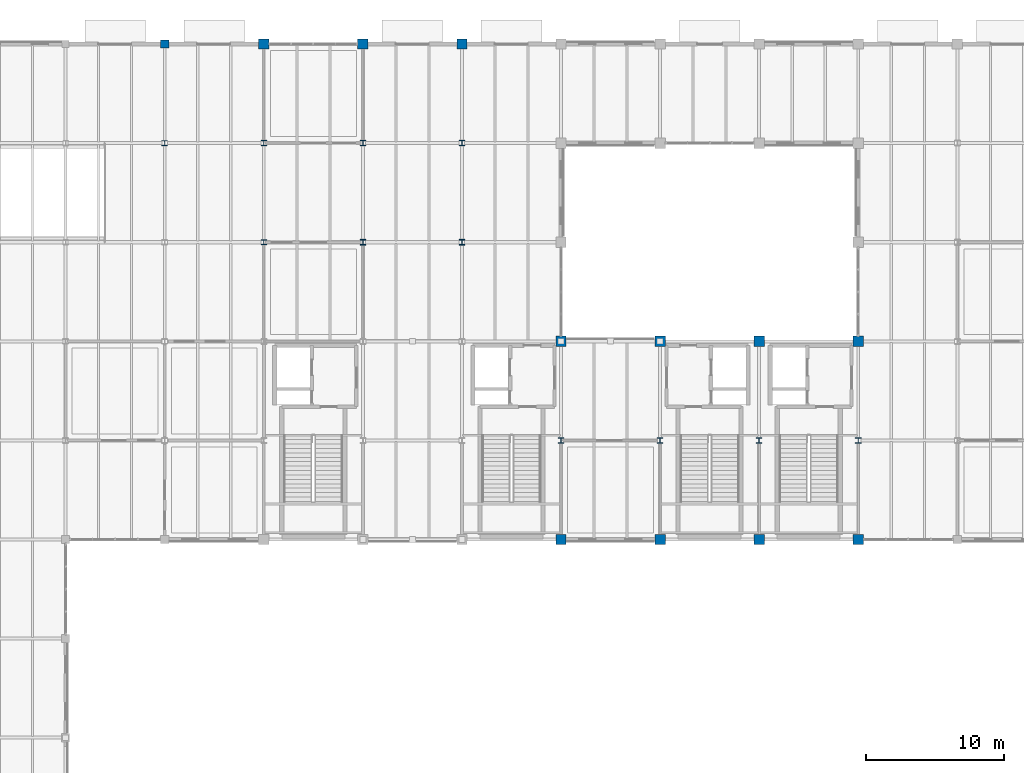
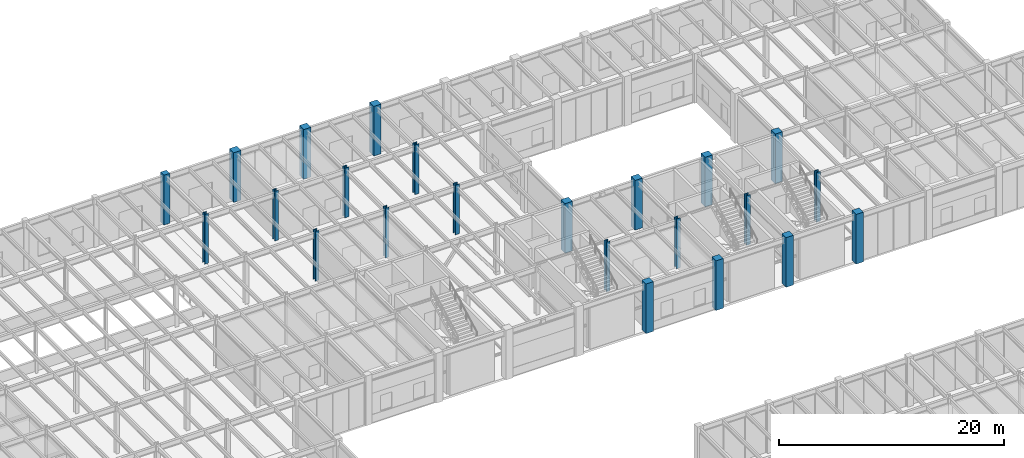
# One storey, part 12 of 97: 23 columns.
"""IFC4 building model written with IfcOpenShell, lengths in metres."""

from ifc_helpers import new_model, si_unit, direction, frame, origin, origin_2d, place, context, subcontext, project, spatial, rectangle, i_section, extrude, material, material_profile, profile_set, type_object, element, save


model = new_model("IFC4")

# Units and contexts
model_context = context("Model", 3, precision=1e-05, world=origin(), true_north=direction((0.0, 1.0)))
body_context = subcontext(model_context, "Body", "Model", "MODEL_VIEW")
ifc_project = project(units=[si_unit("LENGTHUNIT", "METRE"), si_unit("AREAUNIT", "SQUARE_METRE"), si_unit("VOLUMEUNIT", "CUBIC_METRE"), si_unit("PLANEANGLEUNIT", "RADIAN"), si_unit("MASSUNIT", "GRAM", prefix="KILO")], contexts=[model_context])

# Site, building, storey
site_placement = place(None, origin())
site = spatial("IfcSite", under=ifc_project, at=site_placement, CompositionType="ELEMENT")
building_placement = place(site_placement, origin())
building = spatial("IfcBuilding", under=site, at=building_placement, Name="Sillqori Civic Hall", CompositionType="ELEMENT")
storey_placement = place(building_placement, origin())
storey = spatial("IfcBuildingStorey", under=building, at=storey_placement, Name="L01", CompositionType="ELEMENT", Elevation=0.0)

# Columns
ifc_material_1 = material(Name="Concrete C35/45 (H35)", Category="concrete")
ifc_material_profile_1 = material_profile(ifc_material_1, rectangle(XDim=0.60009765625, YDim=0.60009765625, at=origin_2d()), Name="RC 600x600")
ifc_profile_set_1 = profile_set([ifc_material_profile_1], Name="Concrete C35/45 (H35)")
column_type_1 = type_object("IfcColumnType", Name="COL-RC600", PredefinedType="COLUMN", material=ifc_profile_set_1)
column_1_placement = place(storey_placement, frame((43.199951171875, 115.199951171875, 0.0), z_axis=(0.0, 0.0, 1.0), x_axis=(1.0, 0.0, 0.0)))
element("IfcColumn", 1, at=column_1_placement, inside=storey, type_object=column_type_1, Name="L01 column 6-16", PredefinedType="COLUMN", context=body_context, shape_type="SweptSolid", body=[
    extrude(rectangle(XDim=0.60009765625, YDim=0.60009765625, at=origin_2d()), origin(), (0.0, 0.0, 1.0), 5.39990234375),
])
ifc_material_profile_2 = material_profile(ifc_material_1, rectangle(XDim=0.75, YDim=0.75, at=origin_2d()), Name="RC 750x750")
ifc_profile_set_2 = profile_set([ifc_material_profile_2], Name="Concrete C35/45 (H35)")
column_type_2 = type_object("IfcColumnType", Name="COL-RC750", PredefinedType="COLUMN", material=ifc_profile_set_2)
for number, where, z_axis, x_axis, name in (
    (2, (50.39990234375, 115.199951171875, 0.0), (0.0, 0.0, 1.0), (1.0, 0.0, 0.0), "L01 column 7-16"),
    (3, (57.60009765625, 115.199951171875, 0.0), (0.0, 0.0, 1.0), (1.0, 0.0, 0.0), "L01 column 8-16"),
    (4, (64.800048828125, 115.199951171875, 0.0), (0.0, 0.0, 1.0), (1.0, 0.0, 0.0), "L01 column 9-16"),
    (5, (72.0, 79.199951171875, 0.0), (0.0, 0.0, 1.0), (1.0, 0.0, 0.0), "L01 column 10-11"),
    (6, (72.0, 93.60009765625, 0.0), (0.0, 0.0, 1.0), (1.0, 0.0, 0.0), "L01 column 10-13"),
    (7, (79.199951171875, 79.199951171875, 0.0), (0.0, 0.0, 1.0), (1.0, 0.0, 0.0), "L01 column 11-11"),
    (8, (79.199951171875, 93.60009765625, 0.0), (0.0, 0.0, 1.0), (1.0, 0.0, 0.0), "L01 column 11-13"),
    (9, (86.39990234375, 79.199951171875, 0.0), (0.0, 0.0, 1.0), (1.0, 0.0, 0.0), "L01 column 12-11"),
    (10, (86.39990234375, 93.60009765625, 0.0), (0.0, 0.0, 1.0), (1.0, 0.0, 0.0), "L01 column 12-13"),
    (11, (93.60009765625, 79.199951171875, 0.0), (0.0, 0.0, 1.0), (1.0, 0.0, 0.0), "L01 column 13-11"),
    (12, (93.60009765625, 93.60009765625, 0.0), (0.0, 0.0, 1.0), (1.0, 0.0, 0.0), "L01 column 13-13"),
):
    element("IfcColumn", number, at=place(storey_placement, frame(where, z_axis=z_axis, x_axis=x_axis)), inside=storey, type_object=column_type_2, Name=name, PredefinedType="COLUMN", context=body_context, shape_type="SweptSolid", body=[
        extrude(rectangle(XDim=0.75, YDim=0.75, at=origin_2d()), origin(), (0.0, 0.0, 1.0), 5.39990234375),
    ])
ifc_material_2 = material(Name="Steel ASTM A992", Category="steel")
ifc_material_profile_3 = material_profile(ifc_material_2, i_section(OverallWidth=0.39892578125, OverallDepth=0.385986328125, WebThickness=0.02099609375, FlangeThickness=0.033203125, FilletRadius=0.014892578125, at=origin_2d()), Name="W14X176")
ifc_profile_set_3 = profile_set([ifc_material_profile_3], Name="Steel ASTM A992")
column_type_3 = type_object("IfcColumnType", Name="COL-W14X176", PredefinedType="COLUMN", material=ifc_profile_set_3)
column_2_placement = place(storey_placement, frame((43.199951171875, 108.0, 0.0), z_axis=(0.0, 0.0, 1.0), x_axis=(1.0, 0.0, 0.0)))
element("IfcColumn", 13, at=column_2_placement, inside=storey, type_object=column_type_3, Name="L01 column 6-15", PredefinedType="COLUMN", context=body_context, shape_type="SweptSolid", body=[
    extrude(i_section(OverallWidth=0.39892578125, OverallDepth=0.385986328125, WebThickness=0.02099609375, FlangeThickness=0.033203125, FilletRadius=0.014892578125, at=origin_2d()), origin(), (0.0, 0.0, 1.0), 5.39990234375),
])
ifc_material_profile_4 = material_profile(ifc_material_2, i_section(OverallWidth=0.39892578125, OverallDepth=0.39404296875, WebThickness=0.022705078125, FlangeThickness=0.03662109375, FilletRadius=0.014892578125, at=origin_2d()), Name="W14X193")
ifc_profile_set_4 = profile_set([ifc_material_profile_4], Name="Steel ASTM A992")
column_type_4 = type_object("IfcColumnType", Name="COL-W14X193", PredefinedType="COLUMN", material=ifc_profile_set_4)
for number, where, z_axis, x_axis, name in (
    (14, (50.39990234375, 100.800048828125, 0.0), (0.0, 0.0, 1.0), (1.0, 0.0, 0.0), "L01 column 7-14"),
    (15, (50.39990234375, 108.0, 0.0), (0.0, 0.0, 1.0), (1.0, 0.0, 0.0), "L01 column 7-15"),
):
    element("IfcColumn", number, at=place(storey_placement, frame(where, z_axis=z_axis, x_axis=x_axis)), inside=storey, type_object=column_type_4, Name=name, PredefinedType="COLUMN", context=body_context, shape_type="SweptSolid", body=[
        extrude(i_section(OverallWidth=0.39892578125, OverallDepth=0.39404296875, WebThickness=0.022705078125, FlangeThickness=0.03662109375, FilletRadius=0.014892578125, at=origin_2d()), origin(), (0.0, 0.0, 1.0), 5.39990234375),
    ])
ifc_material_profile_5 = material_profile(ifc_material_2, i_section(OverallWidth=0.404052734375, OverallDepth=0.406005859375, WebThickness=0.027099609375, FlangeThickness=0.043701171875, FilletRadius=0.014892578125, at=origin_2d()), Name="W14X233")
ifc_profile_set_5 = profile_set([ifc_material_profile_5], Name="Steel ASTM A992")
column_type_5 = type_object("IfcColumnType", Name="COL-W14X233", PredefinedType="COLUMN", material=ifc_profile_set_5)
for number, where, z_axis, x_axis, name in (
    (16, (57.60009765625, 100.800048828125, 0.0), (0.0, 0.0, 1.0), (1.0, 0.0, 0.0), "L01 column 8-14"),
    (17, (57.60009765625, 108.0, 0.0), (0.0, 0.0, 1.0), (1.0, 0.0, 0.0), "L01 column 8-15"),
    (18, (64.800048828125, 100.800048828125, 0.0), (0.0, 0.0, 1.0), (1.0, 0.0, 0.0), "L01 column 9-14"),
    (19, (64.800048828125, 108.0, 0.0), (0.0, 0.0, 1.0), (1.0, 0.0, 0.0), "L01 column 9-15"),
    (20, (72.0, 86.39990234375, 0.0), (0.0, 0.0, 1.0), (1.0, 0.0, 0.0), "L01 column 10-12"),
    (21, (79.199951171875, 86.39990234375, 0.0), (0.0, 0.0, 1.0), (1.0, 0.0, 0.0), "L01 column 11-12"),
    (22, (86.39990234375, 86.39990234375, 0.0), (0.0, 0.0, 1.0), (1.0, 0.0, 0.0), "L01 column 12-12"),
    (23, (93.60009765625, 86.39990234375, 0.0), (0.0, 0.0, 1.0), (1.0, 0.0, 0.0), "L01 column 13-12"),
):
    element("IfcColumn", number, at=place(storey_placement, frame(where, z_axis=z_axis, x_axis=x_axis)), inside=storey, type_object=column_type_5, Name=name, PredefinedType="COLUMN", context=body_context, shape_type="SweptSolid", body=[
        extrude(i_section(OverallWidth=0.404052734375, OverallDepth=0.406005859375, WebThickness=0.027099609375, FlangeThickness=0.043701171875, FilletRadius=0.014892578125, at=origin_2d()), origin(), (0.0, 0.0, 1.0), 5.39990234375),
    ])

save(model, "model.ifc")
